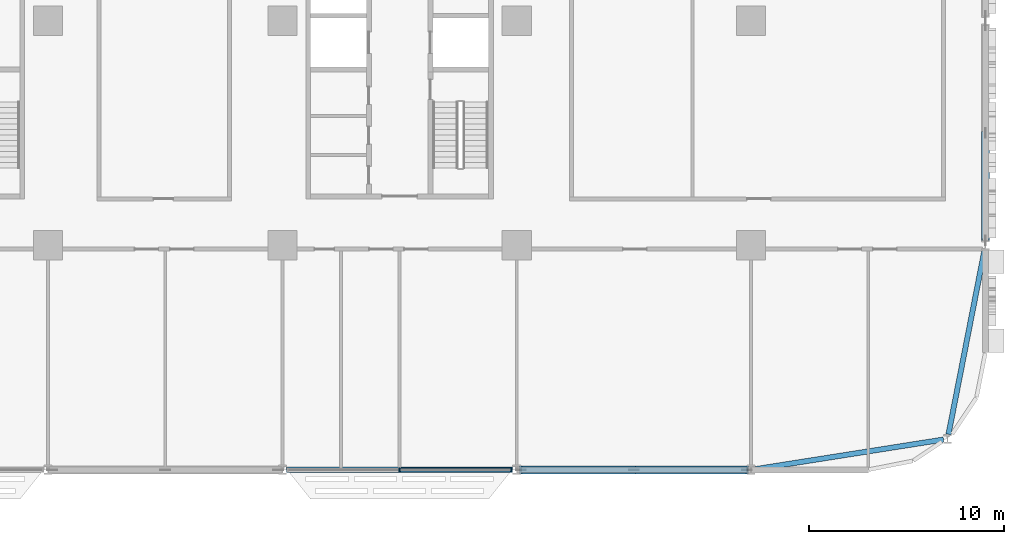
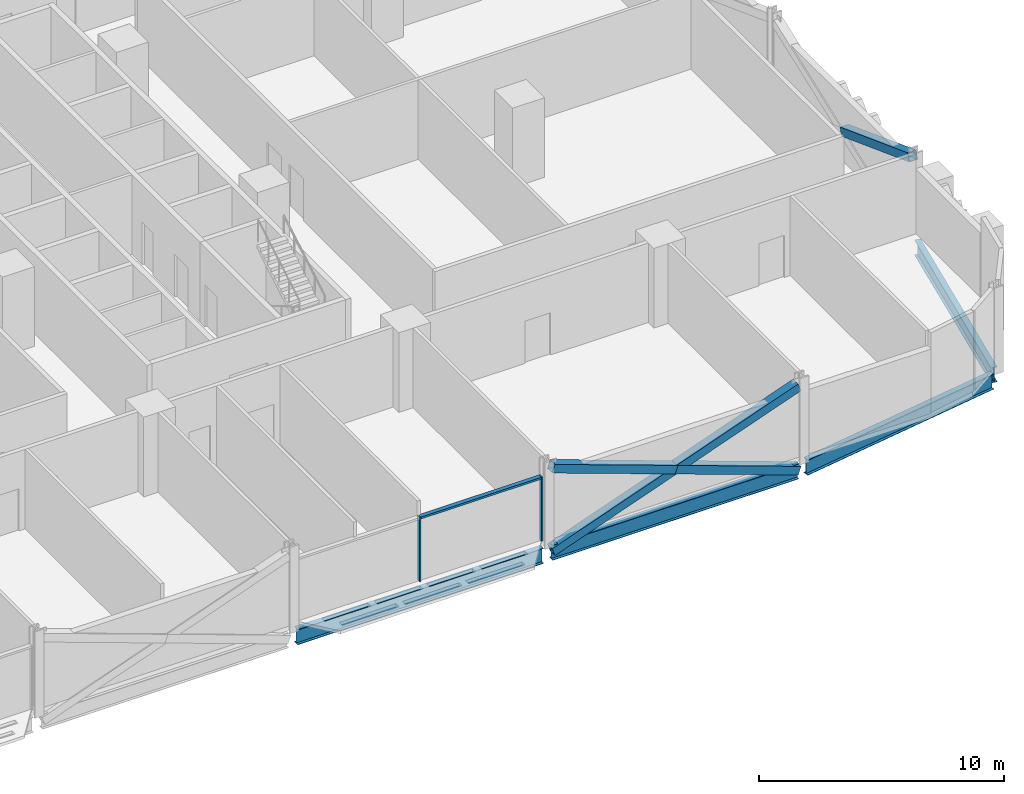
# One storey, part 8 of 29: 7 members, 4 beams, 1 element without a shape of its own.
"""IFC4 building model written with IfcOpenShell, lengths in metres."""

from ifc_helpers import new_model, si_unit, direction, frame, origin, origin_2d, place, context, subcontext, project, spatial, rectangle, hollow_rectangle, i_section, extrude, material, material_profile, profile_set, type_object, element, aggregate, save


model = new_model("IFC4")

# Units and contexts
model_context = context("Model", 3, precision=1e-05, world=origin(), true_north=direction((0.0, 1.0)))
body_context = subcontext(model_context, "Body", "Model", "MODEL_VIEW")
ifc_project = project(units=[si_unit("LENGTHUNIT", "METRE"), si_unit("AREAUNIT", "SQUARE_METRE"), si_unit("VOLUMEUNIT", "CUBIC_METRE"), si_unit("PLANEANGLEUNIT", "RADIAN"), si_unit("MASSUNIT", "GRAM", prefix="KILO")], contexts=[model_context])

# Site, building, storey
site_placement = place(None, origin())
site = spatial("IfcSite", under=ifc_project, at=site_placement, CompositionType="ELEMENT")
building_placement = place(site_placement, origin())
building = spatial("IfcBuilding", under=site, at=building_placement, Name="Mahtab Terrace Research Tower", CompositionType="ELEMENT")
storey_placement = place(building_placement, frame((0.0, 0.0, 54.60009765625)))
storey = spatial("IfcBuildingStorey", under=building, at=storey_placement, Name="L12", CompositionType="ELEMENT", Elevation=54.60009765625)

# Members
ifc_material_1 = material(Name="Steel ASTM A500 Gr C", Category="steel")
ifc_material_profile_1 = material_profile(ifc_material_1, hollow_rectangle(XDim=0.406494140625, YDim=0.406494140625, WallThickness=0.01904296875, at=origin_2d()), Name="HSS16X16X3/4")
ifc_profile_set_1 = profile_set([ifc_material_profile_1], Name="Steel ASTM A500 Gr C")
member_type_1 = type_object("IfcMemberType", Name="HSS 16x16x3/4 brace XB161634", PredefinedType="BRACE", material=ifc_profile_set_1)
member_1_placement = place(storey_placement, frame((30.212158203125, -23.0, -0.642578125), z_axis=(0.941386519928, 0.0, 0.337329838731), x_axis=(0.0, 1.0, 0.0)))
element("IfcMember", 1, at=member_1_placement, inside=storey, type_object=member_type_1, Name="Exoskeleton brace L12 19 a", PredefinedType="BRACE", context=body_context, shape_type="SweptSolid", body=[
    extrude(hollow_rectangle(XDim=0.406494140625, YDim=0.406494140625, WallThickness=0.01904296875, at=origin_2d()), origin(), (0.0, 0.0, 1.0), 12.29638671875),
])
for number, where, z_axis, x_axis, name in (
    (2, (41.787841796875, -23.0, -0.642578125), (-0.941386519928, 0.0, 0.337329838731), (0.0, -1.0, 0.0), "Exoskeleton brace L12 19 b1"),
    (3, (36.0, -23.0, 1.431396484375), (-0.941386519928, 0.0, 0.337329838731), (0.0, -1.0, 0.0), "Exoskeleton brace L12 19 b2"),
):
    element("IfcMember", number, at=place(storey_placement, frame(where, z_axis=z_axis, x_axis=x_axis)), inside=storey, type_object=member_type_1, Name=name, PredefinedType="BRACE", context=body_context, shape_type="SweptSolid", body=[
        extrude(hollow_rectangle(XDim=0.406494140625, YDim=0.406494140625, WallThickness=0.01904296875, at=origin_2d()), origin(), (0.0, 0.0, 1.0), 6.148193359375),
    ])
member_2_placement = place(storey_placement, frame((54.0, -5.75, 1.431396484375), z_axis=(0.0, -0.936657793787, 0.350245881259), x_axis=(1.0, 0.0, 0.0)))
element("IfcMember", 4, at=member_2_placement, inside=storey, type_object=member_type_1, Name="Exoskeleton brace L12 22 b2", PredefinedType="BRACE", context=body_context, shape_type="SweptSolid", body=[
    extrude(hollow_rectangle(XDim=0.406494140625, YDim=0.406494140625, WallThickness=0.01904296875, at=origin_2d()), origin(), (0.0, 0.0, 1.0), 5.88525390625),
])

# Curtain wall, members
ifc_material_2 = material(Name="Laboratory ribbon curtain wall")
curtain_wall_type = type_object("IfcCurtainWallType", Name="Laboratory ribbon curtain wall", PredefinedType="NOTDEFINED", material=ifc_material_2)
curtain_wall_placement = place(storey_placement, origin())
curtain_wall = element("IfcCurtainWall", 5, at=curtain_wall_placement, inside=storey, type_object=curtain_wall_type, Name="EN.L12.13.28", PredefinedType="NOTDEFINED")
ifc_material_3 = material(Name="Natural anodised aluminium", Category="aluminium")
ifc_material_profile_2 = material_profile(ifc_material_3, rectangle(XDim=0.199951171875, YDim=0.06494140625, at=origin_2d()), Name="MULLION 65x200")
ifc_profile_set_2 = profile_set([ifc_material_profile_2], Name="Natural anodised aluminium")
member_type_2 = type_object("IfcMemberType", Name="Laboratory ribbon curtain wall mullion", PredefinedType="MULLION", material=ifc_profile_set_2)
member_3_placement = place(storey_placement, frame((24.0, -23.0, 0.0), z_axis=(0.0, 0.0, 1.0), x_axis=(0.0, 1.0, 0.0)))
member_3 = element("IfcMember", 6, at=member_3_placement, type_object=member_type_2, Name="CWL-2 mullion 2", PredefinedType="MULLION", context=body_context, shape_type="SweptSolid", body=[
    extrude(rectangle(XDim=0.199951171875, YDim=0.06494140625, at=origin_2d()), origin(), (0.0, 0.0, 1.0), 3.202880859375),
])
member_4_placement = place(storey_placement, frame((29.7294921875, -23.0, 0.0), z_axis=(0.0, 0.0, 1.0), x_axis=(0.0, 1.0, 0.0)))
member_4 = element("IfcMember", 7, at=member_4_placement, type_object=member_type_2, Name="CWL-2 mullion 3", PredefinedType="MULLION", context=body_context, shape_type="SweptSolid", body=[
    extrude(rectangle(XDim=0.199951171875, YDim=0.06494140625, at=origin_2d()), origin(), (0.0, 0.0, 1.0), 3.202880859375),
])
ifc_material_profile_3 = material_profile(ifc_material_3, rectangle(XDim=0.199951171875, YDim=0.10009765625, at=origin_2d()), Name="TRANSOM 100x200")
ifc_profile_set_3 = profile_set([ifc_material_profile_3], Name="Natural anodised aluminium")
member_type_3 = type_object("IfcMemberType", Name="Laboratory ribbon curtain wall transom", PredefinedType="USERDEFINED", material=ifc_profile_set_3)
member_5_placement = place(storey_placement, frame((24.032470703125, -23.0, 3.153076171875), z_axis=(1.0, 0.0, 0.0), x_axis=(0.0, 1.0, 0.0)))
member_5 = element("IfcMember", 8, at=member_5_placement, type_object=member_type_3, Name="CWL-2 transom 2", ObjectType="TRANSOM", PredefinedType="USERDEFINED", context=body_context, shape_type="SweptSolid", body=[
    extrude(rectangle(XDim=0.199951171875, YDim=0.10009765625, at=origin_2d()), origin(), (0.0, 0.0, 1.0), 5.66455078125),
])
aggregate(curtain_wall, [member_3, member_4, member_5])

# Beams
ifc_material_4 = material(Name="Steel ASTM A992 Gr 50", Category="steel")
ifc_material_profile_4 = material_profile(ifc_material_4, i_section(OverallWidth=0.2666015625, OverallDepth=0.7568359375, WebThickness=0.013916015625, FlangeThickness=0.019287109375, at=origin_2d()), Name="W30X108")
ifc_profile_set_4 = profile_set([ifc_material_profile_4], Name="Steel ASTM A992 Gr 50")
beam_type = type_object("IfcBeamType", Name="W30x108 beam BS30108", PredefinedType="BEAM", material=ifc_profile_set_4)
for number, where, z_axis, x_axis, name in (
    (9, (18.212158203125, -23.0, -0.718505859375), (1.0, 0.0, 0.0), (0.0, 1.0, 0.0), "Spandrel beam L12 18"),
    (10, (30.212158203125, -23.0, -0.718505859375), (1.0, 0.0, 0.0), (0.0, 1.0, 0.0), "Spandrel beam L12 19"),
):
    element("IfcBeam", number, at=place(storey_placement, frame(where, z_axis=z_axis, x_axis=x_axis)), inside=storey, type_object=beam_type, Name=name, PredefinedType="BEAM", context=body_context, shape_type="SweptSolid", body=[
        extrude(i_section(OverallWidth=0.2666015625, OverallDepth=0.7568359375, WebThickness=0.013916015625, FlangeThickness=0.019287109375, at=origin_2d()), origin(), (0.0, 0.0, 1.0), 11.57568359375),
    ])
beam_1_placement = place(storey_placement, frame((42.212158203125, -22.966552734375, -0.718505859375), z_axis=(0.987836303792, 0.155497385545, 0.0), x_axis=(-0.155497385545, 0.987836303792, 0.0)))
element("IfcBeam", 11, at=beam_1_placement, inside=storey, type_object=beam_type, Name="Spandrel beam L12 20", PredefinedType="BEAM", context=body_context, shape_type="SweptSolid", body=[
    extrude(i_section(OverallWidth=0.2666015625, OverallDepth=0.7568359375, WebThickness=0.013916015625, FlangeThickness=0.019287109375, at=origin_2d()), origin(), (0.0, 0.0, 1.0), 9.75634765625),
])
beam_2_placement = place(storey_placement, frame((52.1083984375, -21.178466796875, -0.718505859375), z_axis=(0.191819239661, 0.981430272254, 0.0), x_axis=(-0.981430272254, 0.191819239661, 0.0)))
element("IfcBeam", 12, at=beam_2_placement, inside=storey, type_object=beam_type, Name="Spandrel beam L12 21", PredefinedType="BEAM", context=body_context, shape_type="SweptSolid", body=[
    extrude(i_section(OverallWidth=0.2666015625, OverallDepth=0.7568359375, WebThickness=0.013916015625, FlangeThickness=0.019287109375, at=origin_2d()), origin(), (0.0, 0.0, 1.0), 9.61962890625),
])

save(model, "model.ifc")
